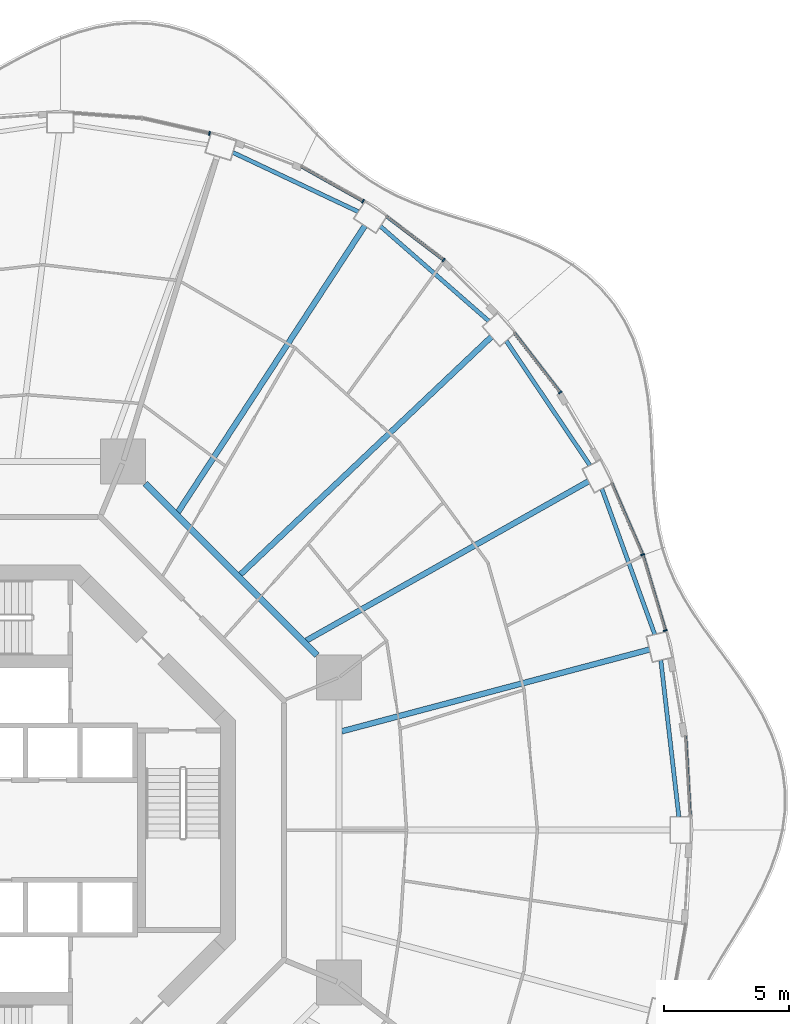
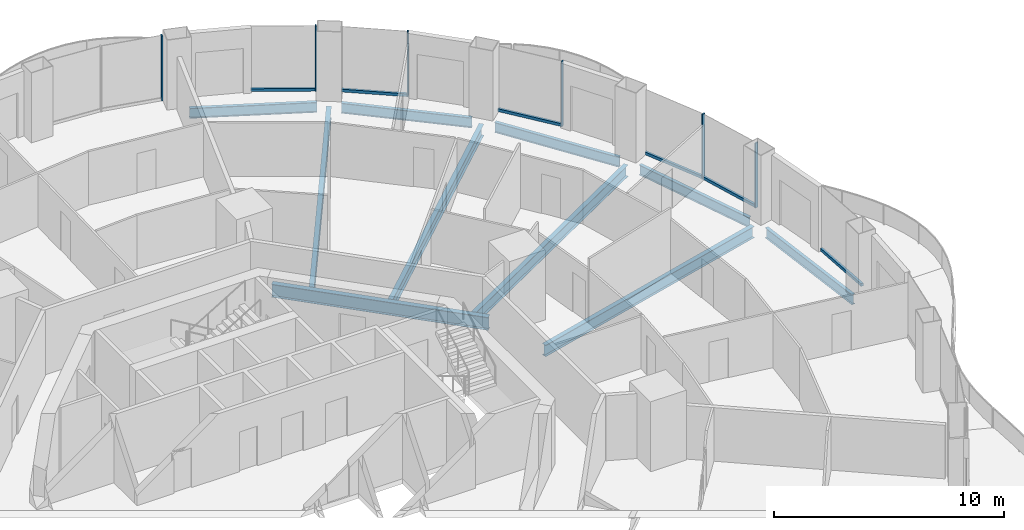
# One storey, part 8 of 19: 12 members, 10 beams, 7 elements without a shape of their own.
"""IFC4 building model written with IfcOpenShell, lengths in metres."""

from ifc_helpers import new_model, si_unit, direction, frame, origin, origin_2d, place, context, subcontext, project, spatial, rectangle, i_section, extrude, material, layer, layer_set, material_profile, profile_set, type_object, element, aggregate, save


model = new_model("IFC4")

# Units and contexts
model_context = context("Model", 3, precision=1e-05, world=origin(), true_north=direction((0.0, 1.0)))
body_context = subcontext(model_context, "Body", "Model", "MODEL_VIEW")
ifc_project = project(units=[si_unit("LENGTHUNIT", "METRE"), si_unit("AREAUNIT", "SQUARE_METRE"), si_unit("VOLUMEUNIT", "CUBIC_METRE"), si_unit("PLANEANGLEUNIT", "RADIAN"), si_unit("MASSUNIT", "GRAM", prefix="KILO")], contexts=[model_context])

# Site, building, storey
site_placement = place(None, origin())
site = spatial("IfcSite", under=ifc_project, at=site_placement, CompositionType="ELEMENT")
building_placement = place(site_placement, origin())
building = spatial("IfcBuilding", under=site, at=building_placement, Name="Nagisa Residences", CompositionType="ELEMENT")
storey_placement = place(building_placement, frame((0.0, 0.0, 184.39990234375)))
storey = spatial("IfcBuildingStorey", under=building, at=storey_placement, Name="L46", CompositionType="ELEMENT", Elevation=184.39990234375)

# Curtain wall, member
ifc_material_1 = material(Name="Concrete-coloured aluminium curtain wall system", Category="concrete")
ifc_layer = layer(ifc_material_1, 0.159912109375)
ifc_layer_set = layer_set([ifc_layer], Name="CW1 CURTAIN WALL")
curtain_wall_type = type_object("IfcCurtainWallType", Name="CW1 CURTAIN WALL", PredefinedType="NOTDEFINED", material=ifc_layer_set)
curtain_wall_1_placement = place(storey_placement, origin())
curtain_wall_1 = element("IfcCurtainWall", 1, at=curtain_wall_1_placement, inside=storey, type_object=curtain_wall_type, Name="cw:CW1:L46:02", PredefinedType="NOTDEFINED")
ifc_material_2 = material(Name="Concrete-coloured aluminium", Category="concrete")
ifc_material_profile_1 = material_profile(ifc_material_2, rectangle(XDim=0.159912109375, YDim=0.06005859375, at=origin_2d()), Name="CW1 MULLION 160x60")
ifc_profile_set_1 = profile_set([ifc_material_profile_1], Name="Concrete-coloured aluminium")
member_type_1 = type_object("IfcMemberType", Name="CW1 MULLION 160x60", PredefinedType="MULLION", material=ifc_profile_set_1)
member_1_placement = place(storey_placement, frame((27.867919921875, 8.00634765625, 0.0), z_axis=(0.0, 0.0, 1.0), x_axis=(-0.958271310082, -0.285860274038, 0.0)))
member_1 = element("IfcMember", 2, at=member_1_placement, type_object=member_type_1, Name="CW1 mullion", PredefinedType="MULLION", context=body_context, shape_type="SweptSolid", body=[
    extrude(rectangle(XDim=0.159912109375, YDim=0.06005859375, at=origin_2d()), origin(), (0.0, 0.0, 1.0), 3.440185546875),
])

curtain_wall_2_placement = place(storey_placement, origin())
curtain_wall_2 = element("IfcCurtainWall", 3, at=curtain_wall_2_placement, inside=storey, type_object=curtain_wall_type, Name="cw:CW1:L46:03", PredefinedType="NOTDEFINED")
member_2_placement = place(storey_placement, frame((26.9580078125, 11.045654296875, 0.0), z_axis=(0.0, 0.0, 1.0), x_axis=(-0.917543276295, -0.397635934147, 0.0)))
member_2 = element("IfcMember", 4, at=member_2_placement, type_object=member_type_1, Name="CW1 mullion", PredefinedType="MULLION", context=body_context, shape_type="SweptSolid", body=[
    extrude(rectangle(XDim=0.159912109375, YDim=0.06005859375, at=origin_2d()), origin(), (0.0, 0.0, 1.0), 3.440185546875),
])

curtain_wall_3_placement = place(storey_placement, origin())
curtain_wall_3 = element("IfcCurtainWall", 5, at=curtain_wall_3_placement, inside=storey, type_object=curtain_wall_type, Name="cw:CW1:L46:05", PredefinedType="NOTDEFINED")
member_3_placement = place(storey_placement, frame((23.649658203125, 17.552978515625, 0.0), z_axis=(0.0, 0.0, 1.0), x_axis=(-0.792070340816, -0.610429828235, 0.0)))
member_3 = element("IfcMember", 6, at=member_3_placement, type_object=member_type_1, Name="CW1 mullion", PredefinedType="MULLION", context=body_context, shape_type="SweptSolid", body=[
    extrude(rectangle(XDim=0.159912109375, YDim=0.06005859375, at=origin_2d()), origin(), (0.0, 0.0, 1.0), 3.440185546875),
])

curtain_wall_4_placement = place(storey_placement, origin())
curtain_wall_4 = element("IfcCurtainWall", 7, at=curtain_wall_4_placement, inside=storey, type_object=curtain_wall_type, Name="cw:CW1:L46:07", PredefinedType="NOTDEFINED")
member_4_placement = place(storey_placement, frame((18.97509765625, 22.862548828125, 0.0), z_axis=(0.0, 0.0, 1.0), x_axis=(-0.605255421737, -0.79603132756, 0.0)))
member_4 = element("IfcMember", 8, at=member_4_placement, type_object=member_type_1, Name="CW1 mullion", PredefinedType="MULLION", context=body_context, shape_type="SweptSolid", body=[
    extrude(rectangle(XDim=0.159912109375, YDim=0.06005859375, at=origin_2d()), origin(), (0.0, 0.0, 1.0), 3.440185546875),
])

curtain_wall_5_placement = place(storey_placement, origin())
curtain_wall_5 = element("IfcCurtainWall", 9, at=curtain_wall_5_placement, inside=storey, type_object=curtain_wall_type, Name="cw:CW1:L46:08", PredefinedType="NOTDEFINED")
member_5_placement = place(storey_placement, frame((15.742431640625, 25.220458984375, 0.0), z_axis=(0.0, 0.0, 1.0), x_axis=(-0.489376918501, -0.872072377523, 0.0)))
member_5 = element("IfcMember", 10, at=member_5_placement, type_object=member_type_1, Name="CW1 mullion", PredefinedType="MULLION", context=body_context, shape_type="SweptSolid", body=[
    extrude(rectangle(XDim=0.159912109375, YDim=0.06005859375, at=origin_2d()), origin(), (0.0, 0.0, 1.0), 3.440185546875),
])

curtain_wall_6_placement = place(storey_placement, origin())
curtain_wall_6 = element("IfcCurtainWall", 11, at=curtain_wall_6_placement, inside=storey, type_object=curtain_wall_type, Name="cw:CW1:L46:10", PredefinedType="NOTDEFINED")
member_6_placement = place(storey_placement, frame((9.584228515625, 27.941162109375, 0.0), z_axis=(0.0, 0.0, 1.0), x_axis=(-0.2207639201, -0.975327274089, 0.0)))
member_6 = element("IfcMember", 12, at=member_6_placement, type_object=member_type_1, Name="CW1 mullion", PredefinedType="MULLION", context=body_context, shape_type="SweptSolid", body=[
    extrude(rectangle(XDim=0.159912109375, YDim=0.06005859375, at=origin_2d()), origin(), (0.0, 0.0, 1.0), 3.440185546875),
])
aggregate(curtain_wall_6, [member_6])

curtain_wall_7_placement = place(storey_placement, origin())
curtain_wall_7 = element("IfcCurtainWall", 13, at=curtain_wall_7_placement, inside=storey, type_object=curtain_wall_type, Name="cw:CW1:L46:00", PredefinedType="NOTDEFINED")
ifc_material_3 = material(Name="Concrete-coloured aluminium", Category="concrete")
ifc_material_profile_2 = material_profile(ifc_material_3, rectangle(XDim=0.1201171875, YDim=0.14990234375, at=origin_2d()), Name="CW1 TRANSOM 120x150")
ifc_profile_set_2 = profile_set([ifc_material_profile_2], Name="Concrete-coloured aluminium")
member_type_2 = type_object("IfcMemberType", Name="CW1 TRANSOM 120x150", PredefinedType="USERDEFINED", material=ifc_profile_set_2)
member_7_placement = place(storey_placement, frame((28.863525390625, 0.54443359375, 0.0751953125), z_axis=(-0.057528345118, 0.998343873376, 0.0), x_axis=(-0.998343873376, -0.057528345118, 0.0)))
member_7 = element("IfcMember", 14, at=member_7_placement, type_object=member_type_2, Name="CW1 transom", ObjectType="TRANSOM", PredefinedType="USERDEFINED", context=body_context, shape_type="SweptSolid", body=[
    extrude(rectangle(XDim=0.1201171875, YDim=0.14990234375, at=origin_2d()), origin(), (0.0, 0.0, 1.0), 3.225341796875),
])
aggregate(curtain_wall_7, [member_7])

# Member
member_8_placement = place(storey_placement, frame((27.87646484375, 7.9775390625, 0.0751953125), z_axis=(-0.28584838049, 0.958274857946, 0.0), x_axis=(-0.958274857946, -0.28584838049, 0.0)))
member_8 = element("IfcMember", 15, at=member_8_placement, type_object=member_type_2, Name="CW1 transom", ObjectType="TRANSOM", PredefinedType="USERDEFINED", context=body_context, shape_type="SweptSolid", body=[
    extrude(rectangle(XDim=0.1201171875, YDim=0.14990234375, at=origin_2d()), origin(), (0.0, 0.0, 1.0), 3.182373046875),
])

aggregate(curtain_wall_1, [member_1, member_8])

member_9_placement = place(storey_placement, frame((26.969970703125, 11.01806640625, 0.0751953125), z_axis=(-0.397592173732, 0.917562239517, 0.0), x_axis=(-0.917562239517, -0.397592173732, 0.0)))
member_9 = element("IfcMember", 16, at=member_9_placement, type_object=member_type_2, Name="CW1 transom", ObjectType="TRANSOM", PredefinedType="USERDEFINED", context=body_context, shape_type="SweptSolid", body=[
    extrude(rectangle(XDim=0.1201171875, YDim=0.14990234375, at=origin_2d()), origin(), (0.0, 0.0, 1.0), 3.14208984375),
])

aggregate(curtain_wall_2, [member_2, member_9])

member_10_placement = place(storey_placement, frame((23.66796875, 17.529052734375, 0.0751953125), z_axis=(-0.610398538814, 0.792094453846, 0.0), x_axis=(-0.792094453846, -0.610398538814, 0.0)))
member_10 = element("IfcMember", 17, at=member_10_placement, type_object=member_type_2, Name="CW1 transom", ObjectType="TRANSOM", PredefinedType="USERDEFINED", context=body_context, shape_type="SweptSolid", body=[
    extrude(rectangle(XDim=0.1201171875, YDim=0.14990234375, at=origin_2d()), origin(), (0.0, 0.0, 1.0), 3.035400390625),
])

aggregate(curtain_wall_3, [member_3, member_10])

member_11_placement = place(storey_placement, frame((18.998779296875, 22.844482421875, 0.0751953125), z_axis=(-0.796025072301, 0.60526364856, 0.0), x_axis=(-0.60526364856, -0.796025072301, 0.0)))
member_11 = element("IfcMember", 18, at=member_11_placement, type_object=member_type_2, Name="CW1 transom", ObjectType="TRANSOM", PredefinedType="USERDEFINED", context=body_context, shape_type="SweptSolid", body=[
    extrude(rectangle(XDim=0.1201171875, YDim=0.14990234375, at=origin_2d()), origin(), (0.0, 0.0, 1.0), 2.916748046875),
])

aggregate(curtain_wall_4, [member_4, member_11])

member_12_placement = place(storey_placement, frame((15.768798828125, 25.205810546875, 0.0751953125), z_axis=(-0.872078262455, 0.489366431371, 0.0), x_axis=(-0.489366431371, -0.872078262455, 0.0)))
member_12 = element("IfcMember", 19, at=member_12_placement, type_object=member_type_2, Name="CW1 transom", ObjectType="TRANSOM", PredefinedType="USERDEFINED", context=body_context, shape_type="SweptSolid", body=[
    extrude(rectangle(XDim=0.1201171875, YDim=0.14990234375, at=origin_2d()), origin(), (0.0, 0.0, 1.0), 2.863525390625),
])

aggregate(curtain_wall_5, [member_5, member_12])

# Beams
ifc_material_4 = material(Name="Steel ASTM A572 Gr 50", Category="steel")
ifc_material_profile_3 = material_profile(ifc_material_4, i_section(OverallWidth=0.25390625, OverallDepth=0.68408203125, WebThickness=0.012451171875, FlangeThickness=0.018798828125, at=origin_2d()), Name="W690x140")
ifc_profile_set_3 = profile_set([ifc_material_profile_3], Name="Steel ASTM A572 Gr 50")
beam_type_1 = type_object("IfcBeamType", Name="Inner ring beam W690x140", PredefinedType="BEAM", material=ifc_profile_set_3)
beam_1_placement = place(storey_placement, frame((13.896240234375, 7.0087890625, -0.601806640625), z_axis=(-0.707106781187, 0.707106781187, 0.0), x_axis=(-0.707106781187, -0.707106781187, 0.0)))
element("IfcBeam", 20, at=beam_1_placement, inside=storey, type_object=beam_type_1, Name="beam:L46:ib1", PredefinedType="BEAM", context=body_context, shape_type="SweptSolid", body=[
    extrude(i_section(OverallWidth=0.25390625, OverallDepth=0.68408203125, WebThickness=0.012451171875, FlangeThickness=0.018798828125, at=origin_2d()), origin(), (0.0, 0.0, 1.0), 9.740234375),
])
ifc_material_5 = material(Name="Steel ASTM A572 Gr 50", Category="steel")
ifc_material_profile_4 = material_profile(ifc_material_5, i_section(OverallWidth=0.166015625, OverallDepth=0.534912109375, WebThickness=0.01025390625, FlangeThickness=0.0166015625, at=origin_2d()), Name="W530x85")
ifc_profile_set_4 = profile_set([ifc_material_profile_4], Name="Steel ASTM A572 Gr 50")
beam_type_2 = type_object("IfcBeamType", Name="Perimeter ring beam W530x85", PredefinedType="BEAM", material=ifc_profile_set_4)
beam_2_placement = place(storey_placement, frame((28.413818359375, 0.530029296875, -0.52734375), z_axis=(-0.11463289794, 0.993407921606, 0.0), x_axis=(-0.993407921606, -0.11463289794, 0.0)))
element("IfcBeam", 21, at=beam_2_placement, inside=storey, type_object=beam_type_2, Name="beam:L46:pb01", PredefinedType="BEAM", context=body_context, shape_type="SweptSolid", body=[
    extrude(i_section(OverallWidth=0.166015625, OverallDepth=0.534912109375, WebThickness=0.01025390625, FlangeThickness=0.0166015625, at=origin_2d()), origin(), (0.0, 0.0, 1.0), 6.325439453125),
])
beam_3_placement = place(storey_placement, frame((27.4453125, 7.845703125, -0.52734375), z_axis=(-0.341320243926, 0.939947068237, 0.0), x_axis=(-0.939947068237, -0.341320243926, 0.0)))
element("IfcBeam", 22, at=beam_3_placement, inside=storey, type_object=beam_type_2, Name="beam:L46:pb02", PredefinedType="BEAM", context=body_context, shape_type="SweptSolid", body=[
    extrude(i_section(OverallWidth=0.166015625, OverallDepth=0.534912109375, WebThickness=0.01025390625, FlangeThickness=0.0166015625, at=origin_2d()), origin(), (0.0, 0.0, 1.0), 6.212890625),
])
beam_4_placement = place(storey_placement, frame((24.84423828125, 14.630615234375, -0.52734375), z_axis=(-0.558152301307, 0.829738518177, 0.0), x_axis=(-0.829738518177, -0.558152301307, 0.0)))
element("IfcBeam", 23, at=beam_4_placement, inside=storey, type_object=beam_type_2, Name="beam:L46:pb03", PredefinedType="BEAM", context=body_context, shape_type="SweptSolid", body=[
    extrude(i_section(OverallWidth=0.166015625, OverallDepth=0.534912109375, WebThickness=0.01025390625, FlangeThickness=0.0166015625, at=origin_2d()), origin(), (0.0, 0.0, 1.0), 6.013916015625),
])
beam_5_placement = place(storey_placement, frame((20.786865234375, 20.416259765625, -0.52734375), z_axis=(-0.752461486776, 0.658636250838, 0.0), x_axis=(-0.658636250838, -0.752461486776, 0.0)))
element("IfcBeam", 24, at=beam_5_placement, inside=storey, type_object=beam_type_2, Name="beam:L46:pb04", PredefinedType="BEAM", context=body_context, shape_type="SweptSolid", body=[
    extrude(i_section(OverallWidth=0.166015625, OverallDepth=0.534912109375, WebThickness=0.01025390625, FlangeThickness=0.0166015625, at=origin_2d()), origin(), (0.0, 0.0, 1.0), 5.776611328125),
])
beam_6_placement = place(storey_placement, frame((15.553466796875, 24.80224609375, -0.52734375), z_axis=(-0.904157325884, 0.427199637232, 0.0), x_axis=(-0.427199637232, -0.904157325884, 0.0)))
element("IfcBeam", 25, at=beam_6_placement, inside=storey, type_object=beam_type_2, Name="beam:L46:pb05", PredefinedType="BEAM", context=body_context, shape_type="SweptSolid", body=[
    extrude(i_section(OverallWidth=0.166015625, OverallDepth=0.534912109375, WebThickness=0.01025390625, FlangeThickness=0.0166015625, at=origin_2d()), origin(), (0.0, 0.0, 1.0), 5.56396484375),
])
ifc_material_6 = material(Name="Steel ASTM A572 Gr 50", Category="steel")
ifc_material_profile_5 = material_profile(ifc_material_6, i_section(OverallWidth=0.22802734375, OverallDepth=0.60302734375, WebThickness=0.010498046875, FlangeThickness=0.014892578125, at=origin_2d()), Name="W610x101")
ifc_profile_set_5 = profile_set([ifc_material_profile_5], Name="Steel ASTM A572 Gr 50")
beam_type_3 = type_object("IfcBeamType", Name="Radial beam W610x101", PredefinedType="BEAM", material=ifc_profile_set_5)
beam_7_placement = place(storey_placement, frame((27.23583984375, 7.239990234375, -0.5615234375), z_axis=(-0.966436061719, -0.256907256826, 0.0), x_axis=(0.256907256826, -0.966436061719, 0.0)))
element("IfcBeam", 26, at=beam_7_placement, inside=storey, type_object=beam_type_3, Name="beam:L46:rb02", PredefinedType="BEAM", context=body_context, shape_type="SweptSolid", body=[
    extrude(i_section(OverallWidth=0.22802734375, OverallDepth=0.60302734375, WebThickness=0.010498046875, FlangeThickness=0.014892578125, at=origin_2d()), origin(), (0.0, 0.0, 1.0), 12.77490234375),
])
beam_8_placement = place(storey_placement, frame((24.789306640625, 13.98828125, -0.5615234375), z_axis=(-0.870904520395, -0.491452252366, 0.0), x_axis=(0.491452252366, -0.870904520395, 0.0)))
element("IfcBeam", 27, at=beam_8_placement, inside=storey, type_object=beam_type_3, Name="beam:L46:rb03", PredefinedType="BEAM", context=body_context, shape_type="SweptSolid", body=[
    extrude(i_section(OverallWidth=0.22802734375, OverallDepth=0.60302734375, WebThickness=0.010498046875, FlangeThickness=0.014892578125, at=origin_2d()), origin(), (0.0, 0.0, 1.0), 13.007080078125),
])
beam_9_placement = place(storey_placement, frame((20.89501953125, 19.785400390625, -0.5615234375), z_axis=(-0.726119962477, -0.687568033064, 0.0), x_axis=(0.687568033064, -0.726119962477, 0.0)))
element("IfcBeam", 28, at=beam_9_placement, inside=storey, type_object=beam_type_3, Name="beam:L46:rb04", PredefinedType="BEAM", context=body_context, shape_type="SweptSolid", body=[
    extrude(i_section(OverallWidth=0.22802734375, OverallDepth=0.60302734375, WebThickness=0.010498046875, FlangeThickness=0.014892578125, at=origin_2d()), origin(), (0.0, 0.0, 1.0), 13.88134765625),
])
beam_10_placement = place(storey_placement, frame((15.816162109375, 24.234375, -0.5615234375), z_axis=(-0.546541244511, -0.837432187135, 0.0), x_axis=(0.837432187135, -0.546541244511, 0.0)))
element("IfcBeam", 29, at=beam_10_placement, inside=storey, type_object=beam_type_3, Name="beam:L46:rb05", PredefinedType="BEAM", context=body_context, shape_type="SweptSolid", body=[
    extrude(i_section(OverallWidth=0.22802734375, OverallDepth=0.60302734375, WebThickness=0.010498046875, FlangeThickness=0.014892578125, at=origin_2d()), origin(), (0.0, 0.0, 1.0), 13.72412109375),
])

save(model, "model.ifc")
